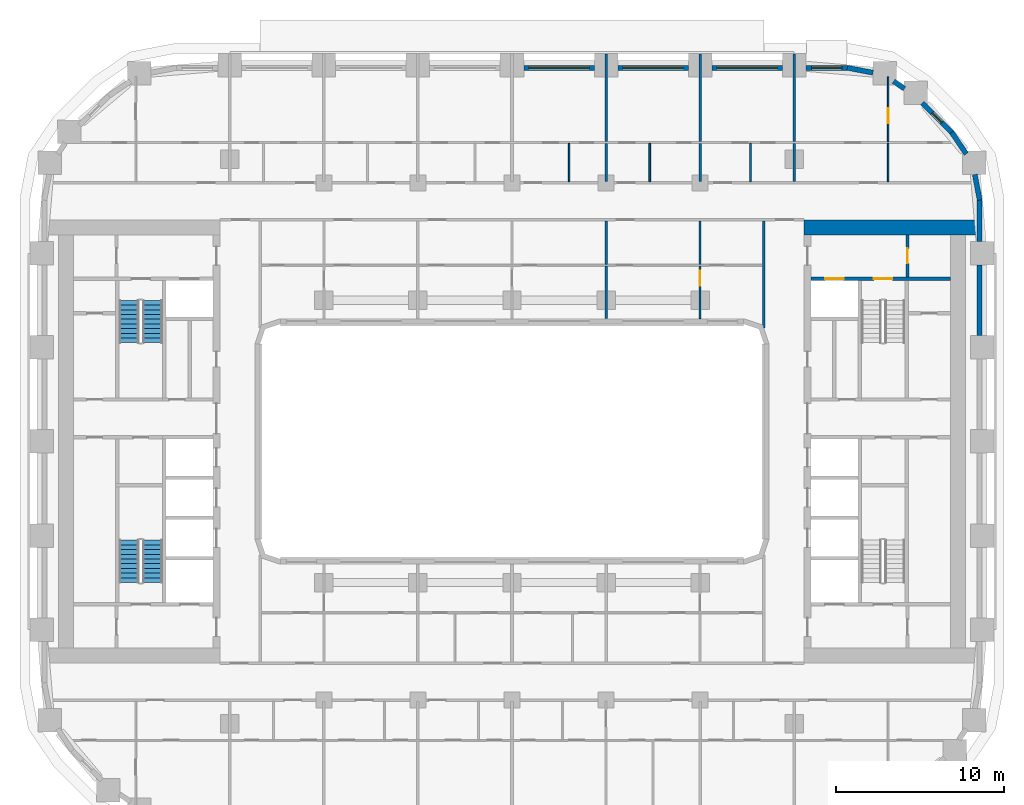
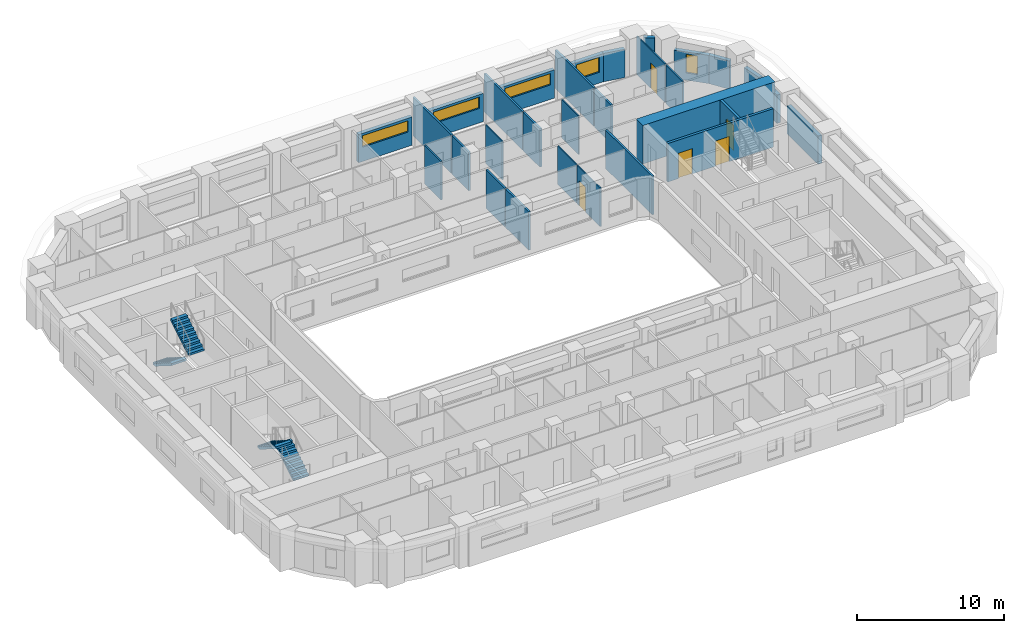
# One storey, part 10 of 22: 30 walls, 5 doors, 5 windows, 4 stair flights, 10 openings, 2 elements without a shape of their own.
"""IFC4 building model written with IfcOpenShell, lengths in metres."""

from ifc_helpers import new_model, si_unit, direction, frame, frame_2d, origin, place, context, subcontext, project, spatial, polyline, rectangle, outline, extrude, material, layer, layer_set, type_object, element, fill, aggregate, save


model = new_model("IFC4")

# Units and contexts
model_context = context("Model", 3, precision=1e-05, world=origin(), true_north=direction((0.0, 1.0)))
body_context = subcontext(model_context, "Body", "Model", "MODEL_VIEW")
ifc_project = project(units=[si_unit("LENGTHUNIT", "METRE"), si_unit("AREAUNIT", "SQUARE_METRE"), si_unit("VOLUMEUNIT", "CUBIC_METRE"), si_unit("PLANEANGLEUNIT", "RADIAN"), si_unit("MASSUNIT", "GRAM", prefix="KILO")], contexts=[model_context])

# Site, building, storey
site_placement = place(None, origin())
site = spatial("IfcSite", under=ifc_project, at=site_placement, CompositionType="ELEMENT")
building_placement = place(site_placement, origin())
building = spatial("IfcBuilding", under=site, at=building_placement, Name="Kiln Ring Residences", CompositionType="ELEMENT")
storey_placement = place(building_placement, frame((0.0, 0.0, 62.0)))
storey = spatial("IfcBuildingStorey", under=building, at=storey_placement, Name="L15", CompositionType="ELEMENT", Elevation=62.0)

# Wall, opening, door
ifc_material_1 = material(Name="Gypsum board on steel studs", Category="steel")
ifc_layer_1 = layer(ifc_material_1, 0.199951171875)
ifc_layer_set_1 = layer_set([ifc_layer_1], Name="CORE-PARTITION-200")
wall_type_1 = type_object("IfcWallType", Name="CORE-PARTITION-200", PredefinedType="PARTITIONING", material=ifc_layer_set_1)
wall_1_placement = place(storey_placement, frame((23.550048828125, 9.800048828125, 0.0), z_axis=(0.0, 0.0, 1.0), x_axis=(0.0, 1.0, 0.0)))
wall_1 = element("IfcWall", 1, at=wall_1_placement, inside=storey, type_object=wall_type_1, Name="Core partition east L15 4", PredefinedType="PARTITIONING", context=body_context, shape_type="SweptSolid", body=[
    extrude(rectangle(XDim=2.5, YDim=0.199951171875, at=frame_2d((1.25, 0.0))), origin(), (0.0, 0.0, 1.0), 3.199951171875),
])
opening_1_placement = place(wall_1_placement, frame((0.800048828125, 0.0, 0.0)))
opening_1 = element("IfcOpeningElement", 2, at=opening_1_placement, cuts=wall_1, Name="Opening L15-CE10", PredefinedType="OPENING", context=body_context, shape_type="SweptSolid", body=[
    extrude(rectangle(XDim=0.89990234375, YDim=2.10009765625, at=frame_2d((0.449951171875, 1.050048828125))), frame((0.0, 0.10986328125, 0.0), z_axis=(0.0, -1.0, 0.0), x_axis=(1.0, 0.0, 0.0)), (0.0, 0.0, 1.0), 0.219970703125),
])
ifc_material_2 = material(Name="Steel door leaf", Category="steel")
door_type_1 = type_object("IfcDoorType", Name="CORE-DOOR-ROOM", OperationType="SINGLE_SWING_LEFT", PredefinedType="DOOR", material=ifc_material_2)
door_1_placement = place(opening_1_placement, origin())
door_1 = element("IfcDoor", 3, at=door_1_placement, inside=storey, type_object=door_type_1, Name="Fire riser room L15-CE10", OperationType="SINGLE_SWING_LEFT", OverallHeight=2.10009765625, OverallWidth=0.89990234375, PredefinedType="DOOR", context=body_context, shape_type="SweptSolid", body=[
    extrude(rectangle(XDim=0.89990234375, YDim=2.10009765625, at=frame_2d((0.449951171875, 1.050048828125))), frame((0.0, 0.02490234375, 0.0), z_axis=(0.0, -1.0, 0.0), x_axis=(1.0, 0.0, 0.0)), (0.0, 0.0, 1.0), 0.050048828125),
])
fill(opening_1, door_1)

# Wall, openings, doors
ifc_material_3 = material(Name="Concrete C40/50", Category="concrete")
ifc_layer_2 = layer(ifc_material_3, 0.199951171875)
ifc_layer_set_2 = layer_set([ifc_layer_2], Name="CORE-WALL-RC200")
wall_type_2 = type_object("IfcWallType", Name="CORE-WALL-RC200", PredefinedType="SHEAR", material=ifc_layer_set_2)
wall_2_placement = place(storey_placement, frame((17.800048828125, 9.699951171875, 0.0), z_axis=(0.0, 0.0, 1.0), x_axis=(1.0, 0.0, 0.0)))
wall_2 = element("IfcWall", 4, at=wall_2_placement, inside=storey, type_object=wall_type_2, Name="Core wall east L15 9", PredefinedType="SHEAR", context=body_context, shape_type="SweptSolid", body=[
    extrude(rectangle(XDim=8.300048828125, YDim=0.199951171875, at=frame_2d((4.14990234375, 0.0))), origin(), (0.0, 0.0, 1.0), 3.199951171875),
])
opening_2_placement = place(wall_2_placement, frame((0.85009765625, 0.0, 0.0)))
opening_2 = element("IfcOpeningElement", 5, at=opening_2_placement, cuts=wall_2, Name="Opening L15-CE07", PredefinedType="OPENING", context=body_context, shape_type="SweptSolid", body=[
    extrude(rectangle(XDim=1.10009765625, YDim=2.10009765625, at=frame_2d((0.550048828125, 1.050048828125))), frame((0.0, 0.10986328125, 0.0), z_axis=(0.0, -1.0, 0.0), x_axis=(1.0, 0.0, 0.0)), (0.0, 0.0, 1.0), 0.219970703125),
])
opening_3_placement = place(wall_2_placement, frame((3.75, 0.0, 0.0)))
opening_3 = element("IfcOpeningElement", 6, at=opening_3_placement, cuts=wall_2, Name="Opening L15-CE12", PredefinedType="OPENING", context=body_context, shape_type="SweptSolid", body=[
    extrude(rectangle(XDim=1.10009765625, YDim=2.10009765625, at=frame_2d((0.550048828125, 1.050048828125))), frame((0.0, 0.10986328125, 0.0), z_axis=(0.0, -1.0, 0.0), x_axis=(1.0, 0.0, 0.0)), (0.0, 0.0, 1.0), 0.219970703125),
])
ifc_material_4 = material(Name="Steel door leaf", Category="steel")
door_type_2 = type_object("IfcDoorType", Name="CORE-DOOR-LD", OperationType="DOUBLE_DOOR_SLIDING", PredefinedType="DOOR", material=ifc_material_4)
door_2_placement = place(opening_2_placement, origin())
door_2 = element("IfcDoor", 7, at=door_2_placement, inside=storey, type_object=door_type_2, Name="LD E-FF L15-CE07", OperationType="DOUBLE_DOOR_SLIDING", OverallHeight=2.10009765625, OverallWidth=1.10009765625, PredefinedType="DOOR", context=body_context, shape_type="SweptSolid", body=[
    extrude(rectangle(XDim=1.10009765625, YDim=2.10009765625, at=frame_2d((0.550048828125, 1.050048828125))), frame((0.0, 0.02490234375, 0.0), z_axis=(0.0, -1.0, 0.0), x_axis=(1.0, 0.0, 0.0)), (0.0, 0.0, 1.0), 0.050048828125),
])
fill(opening_2, door_2)
ifc_material_5 = material(Name="Steel door leaf", Category="steel")
door_type_3 = type_object("IfcDoorType", Name="CORE-DOOR-STAIR", OperationType="SINGLE_SWING_LEFT", PredefinedType="DOOR", material=ifc_material_5)
door_3_placement = place(opening_3_placement, origin())
door_3 = element("IfcDoor", 8, at=door_3_placement, inside=storey, type_object=door_type_3, Name="Stair E-STN L15-CE12", OperationType="SINGLE_SWING_LEFT", OverallHeight=2.10009765625, OverallWidth=1.10009765625, PredefinedType="DOOR", context=body_context, shape_type="SweptSolid", body=[
    extrude(rectangle(XDim=1.10009765625, YDim=2.10009765625, at=frame_2d((0.550048828125, 1.050048828125))), frame((0.0, 0.02490234375, 0.0), z_axis=(0.0, -1.0, 0.0), x_axis=(1.0, 0.0, 0.0)), (0.0, 0.0, 1.0), 0.050048828125),
])
fill(opening_3, door_3)

# Walls
ifc_material_6 = material(Name="Concrete C60/75", Category="concrete")
ifc_layer_3 = layer(ifc_material_6, 0.89990234375)
ifc_layer_set_3 = layer_set([ifc_layer_3], Name="CORE-WALL-RC900")
wall_type_3 = type_object("IfcWallType", Name="CORE-WALL-RC900", PredefinedType="SHEAR", material=ifc_layer_set_3)
wall_3_placement = place(storey_placement, frame((17.39990234375, 12.75, 0.0), z_axis=(0.0, 0.0, 1.0), x_axis=(1.0, 0.0, 0.0)))
element("IfcWall", 9, at=wall_3_placement, inside=storey, type_object=wall_type_3, Name="Core wall east L15 4", PredefinedType="SHEAR", context=body_context, shape_type="SweptSolid", body=[
    extrude(rectangle(XDim=10.400146484375, YDim=0.89990234375, at=frame_2d((5.2001953125, 0.0))), origin(), (0.0, 0.0, 1.0), 3.199951171875),
])
ifc_material_7 = material(Name="Brick masonry, dark clay brick", Category="masonry")
ifc_layer_4 = layer(ifc_material_7, 0.300048828125)
ifc_layer_set_4 = layer_set([ifc_layer_4], Name="EW-300 BRICK WALL")
wall_type_4 = type_object("IfcWallType", Name="EW-300 BRICK WALL", PredefinedType="SOLIDWALL", material=ifc_layer_set_4)
wall_4_placement = place(storey_placement, frame((27.85009765625, 6.300048828125, 0.0), z_axis=(0.0, 0.0, 1.0), x_axis=(0.0, 1.0, 0.0)))
element("IfcWall", 10, at=wall_4_placement, inside=storey, type_object=wall_type_4, Name="Facade wall L15 21", PredefinedType="SOLIDWALL", context=body_context, shape_type="SweptSolid", body=[
    extrude(rectangle(XDim=4.199951171875, YDim=0.300048828125, at=frame_2d((2.10009765625, 0.0))), origin(), (0.0, 0.0, 1.0), 2.35009765625),
])
wall_5_placement = place(storey_placement, frame((27.85009765625, 11.89990234375, 0.0), z_axis=(0.0, 0.0, 1.0), x_axis=(0.0, 1.0, 0.0)))
element("IfcWall", 11, at=wall_5_placement, inside=storey, type_object=wall_type_4, Name="Facade wall L15 22", PredefinedType="SOLIDWALL", context=body_context, shape_type="SweptSolid", body=[
    extrude(rectangle(XDim=2.5, YDim=0.300048828125, at=frame_2d((1.25, 0.0))), origin(), (0.0, 0.0, 1.0), 2.35009765625),
])
for number, where, z_axis, x_axis, name in (
    (12, (27.8525390625, 14.371826171875, 0.0), (0.0, 0.0, 1.0), (-0.187328386968, 0.982297345734, 0.0), "Facade wall L15 23"),
    (13, (27.053466796875, 17.125732421875, 0.0), (0.0, 0.0, 1.0), (-0.56199241657, 0.827142384187, 0.0), "Facade wall L15 24"),
):
    element("IfcWall", number, at=place(storey_placement, frame(where, z_axis=z_axis, x_axis=x_axis)), inside=storey, type_object=wall_type_4, Name=name, PredefinedType="SOLIDWALL", context=body_context, shape_type="SweptSolid", body=[
        extrude(rectangle(XDim=1.55615234375, YDim=0.300048828125, at=frame_2d((0.778076171875, 0.0))), origin(), (0.0, 0.0, 1.0), 2.35009765625),
    ])

# Wall, opening, window
wall_6_placement = place(storey_placement, frame((26.19677734375, 18.390869140625, 0.0), z_axis=(0.0, 0.0, 1.0), x_axis=(-0.707057949532, 0.707155609469, 0.0)))
wall_6 = element("IfcWall", 14, at=wall_6_placement, inside=storey, type_object=wall_type_4, Name="Facade wall L15 25", PredefinedType="SOLIDWALL", context=body_context, shape_type="SweptSolid", body=[
    extrude(rectangle(XDim=2.5, YDim=0.300048828125, at=frame_2d((1.25, 0.0))), origin(), (0.0, 0.0, 1.0), 2.35009765625),
])
opening_4_placement = place(wall_6_placement, frame((0.85009765625, 0.0, 0.60009765625)))
opening_4 = element("IfcOpeningElement", 15, at=opening_4_placement, cuts=wall_6, Name="Opening W5", PredefinedType="OPENING", context=body_context, shape_type="SweptSolid", body=[
    extrude(rectangle(XDim=0.800048828125, YDim=1.550048828125, at=frame_2d((0.39990234375, 0.77490234375))), frame((0.0, 0.159912109375, 0.0), z_axis=(0.0, -1.0, 0.0), x_axis=(1.0, 0.0, 0.0)), (0.0, 0.0, 1.0), 0.320068359375),
])
ifc_material_8 = material(Name="Aluminium frame with double glazing", Category="aluminium")
window_type_1 = type_object("IfcWindowType", Name="WINDOW 800 x 1550", PartitioningType="SINGLE_PANEL", PredefinedType="WINDOW", material=ifc_material_8)
window_1_placement = place(opening_4_placement, origin())
window_1 = element("IfcWindow", 16, at=window_1_placement, inside=storey, type_object=window_type_1, Name="Window L15 12", OverallHeight=1.550048828125, OverallWidth=0.800048828125, PartitioningType="SINGLE_PANEL", PredefinedType="WINDOW", context=body_context, shape_type="SweptSolid", body=[
    extrude(rectangle(XDim=0.800048828125, YDim=1.550048828125, at=frame_2d((0.39990234375, 0.77490234375))), frame((0.0, 0.030029296875, 0.0), z_axis=(0.0, -1.0, 0.0), x_axis=(1.0, 0.0, 0.0)), (0.0, 0.0, 1.0), 0.06005859375),
])
fill(opening_4, window_1)

# Walls
wall_7_placement = place(storey_placement, frame((23.368408203125, 21.016845703125, 0.0), z_axis=(0.0, 0.0, 1.0), x_axis=(-0.827037530089, 0.562146710232, 0.0)))
element("IfcWall", 17, at=wall_7_placement, inside=storey, type_object=wall_type_4, Name="Facade wall L15 26", PredefinedType="SOLIDWALL", context=body_context, shape_type="SweptSolid", body=[
    extrude(rectangle(XDim=0.77685546875, YDim=0.300048828125, at=frame_2d((0.388427734375, 0.0))), origin(), (0.0, 0.0, 1.0), 3.199951171875),
])
wall_8_placement = place(storey_placement, frame((21.50048828125, 21.961181640625, 0.0), z_axis=(0.0, 0.0, 1.0), x_axis=(-0.982297345734, 0.187328386968, 0.0)))
element("IfcWall", 18, at=wall_8_placement, inside=storey, type_object=wall_type_4, Name="Facade wall L15 27", PredefinedType="SOLIDWALL", context=body_context, shape_type="SweptSolid", body=[
    extrude(rectangle(XDim=1.55615234375, YDim=0.300048828125, at=frame_2d((0.778076171875, 0.0))), origin(), (0.0, 0.0, 1.0), 2.35009765625),
])

# Wall, opening, window
wall_9_placement = place(storey_placement, frame((20.0, 22.25, 0.0), z_axis=(0.0, 0.0, 1.0), x_axis=(-1.0, 0.0, 0.0)))
wall_9 = element("IfcWall", 19, at=wall_9_placement, inside=storey, type_object=wall_type_4, Name="Facade wall L15 28", PredefinedType="SOLIDWALL", context=body_context, shape_type="SweptSolid", body=[
    extrude(rectangle(XDim=2.5, YDim=0.300048828125, at=frame_2d((1.25, 0.0))), origin(), (0.0, 0.0, 1.0), 2.35009765625),
])
opening_5_placement = place(wall_9_placement, frame((0.35009765625, 0.0, 0.89990234375)))
opening_5 = element("IfcOpeningElement", 20, at=opening_5_placement, cuts=wall_9, Name="Opening W2", PredefinedType="OPENING", context=body_context, shape_type="SweptSolid", body=[
    extrude(rectangle(XDim=1.800048828125, YDim=1.25, at=frame_2d((0.89990234375, 0.625))), frame((0.0, 0.159912109375, 0.0), z_axis=(0.0, -1.0, 0.0), x_axis=(1.0, 0.0, 0.0)), (0.0, 0.0, 1.0), 0.320068359375),
])
ifc_material_9 = material(Name="Aluminium frame with double glazing", Category="aluminium")
window_type_2 = type_object("IfcWindowType", Name="WINDOW 1800 x 1250", PartitioningType="SINGLE_PANEL", PredefinedType="WINDOW", material=ifc_material_9)
window_2_placement = place(opening_5_placement, origin())
window_2 = element("IfcWindow", 21, at=window_2_placement, inside=storey, type_object=window_type_2, Name="Window L15 13", OverallHeight=1.25, OverallWidth=1.800048828125, PartitioningType="SINGLE_PANEL", PredefinedType="WINDOW", context=body_context, shape_type="SweptSolid", body=[
    extrude(rectangle(XDim=1.800048828125, YDim=1.25, at=frame_2d((0.89990234375, 0.625))), frame((0.0, 0.030029296875, 0.0), z_axis=(0.0, -1.0, 0.0), x_axis=(1.0, 0.0, 0.0)), (0.0, 0.0, 1.0), 0.06005859375),
])
fill(opening_5, window_2)

wall_10_placement = place(storey_placement, frame((16.10009765625, 22.25, 0.0), z_axis=(0.0, 0.0, 1.0), x_axis=(-1.0, 0.0, 0.0)))
wall_10 = element("IfcWall", 22, at=wall_10_placement, inside=storey, type_object=wall_type_4, Name="Facade wall L15 29", PredefinedType="SOLIDWALL", context=body_context, shape_type="SweptSolid", body=[
    extrude(rectangle(XDim=4.2001953125, YDim=0.300048828125, at=frame_2d((2.10009765625, 0.0))), origin(), (0.0, 0.0, 1.0), 2.35009765625),
])
opening_6_placement = place(wall_10_placement, frame((0.300048828125, 0.0, 1.199951171875)))
opening_6 = element("IfcOpeningElement", 23, at=opening_6_placement, cuts=wall_10, Name="Opening W4", PredefinedType="OPENING", context=body_context, shape_type="SweptSolid", body=[
    extrude(rectangle(XDim=3.60009765625, YDim=0.949951171875, at=frame_2d((1.800048828125, 0.47509765625))), frame((0.0, 0.159912109375, 0.0), z_axis=(0.0, -1.0, 0.0), x_axis=(1.0, 0.0, 0.0)), (0.0, 0.0, 1.0), 0.320068359375),
])
ifc_material_10 = material(Name="Aluminium frame with double glazing", Category="aluminium")
window_type_3 = type_object("IfcWindowType", Name="WINDOW 3600 x 950", PartitioningType="SINGLE_PANEL", PredefinedType="WINDOW", material=ifc_material_10)
window_3_placement = place(opening_6_placement, origin())
window_3 = element("IfcWindow", 24, at=window_3_placement, inside=storey, type_object=window_type_3, Name="Window L15 14", OverallHeight=0.949951171875, OverallWidth=3.60009765625, PartitioningType="SINGLE_PANEL", PredefinedType="WINDOW", context=body_context, shape_type="SweptSolid", body=[
    extrude(rectangle(XDim=3.60009765625, YDim=0.949951171875, at=frame_2d((1.800048828125, 0.47509765625))), frame((0.0, 0.030029296875, 0.0), z_axis=(0.0, -1.0, 0.0), x_axis=(1.0, 0.0, 0.0)), (0.0, 0.0, 1.0), 0.06005859375),
])
fill(opening_6, window_3)

wall_11_placement = place(storey_placement, frame((10.5, 22.25, 0.0), z_axis=(0.0, 0.0, 1.0), x_axis=(-1.0, 0.0, 0.0)))
wall_11 = element("IfcWall", 25, at=wall_11_placement, inside=storey, type_object=wall_type_4, Name="Facade wall L15 30", PredefinedType="SOLIDWALL", context=body_context, shape_type="SweptSolid", body=[
    extrude(rectangle(XDim=4.199951171875, YDim=0.300048828125, at=frame_2d((2.10009765625, 0.0))), origin(), (0.0, 0.0, 1.0), 2.35009765625),
])
opening_7_placement = place(wall_11_placement, frame((0.300048828125, 0.0, 1.199951171875)))
opening_7 = element("IfcOpeningElement", 26, at=opening_7_placement, cuts=wall_11, Name="Opening W4", PredefinedType="OPENING", context=body_context, shape_type="SweptSolid", body=[
    extrude(rectangle(XDim=3.60009765625, YDim=0.949951171875, at=frame_2d((1.800048828125, 0.47509765625))), frame((0.0, 0.159912109375, 0.0), z_axis=(0.0, -1.0, 0.0), x_axis=(1.0, 0.0, 0.0)), (0.0, 0.0, 1.0), 0.320068359375),
])
window_4_placement = place(opening_7_placement, origin())
window_4 = element("IfcWindow", 27, at=window_4_placement, inside=storey, type_object=window_type_3, Name="Window L15 15", OverallHeight=0.949951171875, OverallWidth=3.60009765625, PartitioningType="SINGLE_PANEL", PredefinedType="WINDOW", context=body_context, shape_type="SweptSolid", body=[
    extrude(rectangle(XDim=3.60009765625, YDim=0.949951171875, at=frame_2d((1.800048828125, 0.47509765625))), frame((0.0, 0.030029296875, 0.0), z_axis=(0.0, -1.0, 0.0), x_axis=(1.0, 0.0, 0.0)), (0.0, 0.0, 1.0), 0.06005859375),
])
fill(opening_7, window_4)

wall_12_placement = place(storey_placement, frame((4.89990234375, 22.25, 0.0), z_axis=(0.0, 0.0, 1.0), x_axis=(-1.0, 0.0, 0.0)))
wall_12 = element("IfcWall", 28, at=wall_12_placement, inside=storey, type_object=wall_type_4, Name="Facade wall L15 31", PredefinedType="SOLIDWALL", context=body_context, shape_type="SweptSolid", body=[
    extrude(rectangle(XDim=4.199951171875, YDim=0.300048828125, at=frame_2d((2.10009765625, 0.0))), origin(), (0.0, 0.0, 1.0), 2.35009765625),
])
opening_8_placement = place(wall_12_placement, frame((0.300048828125, 0.0, 1.199951171875)))
opening_8 = element("IfcOpeningElement", 29, at=opening_8_placement, cuts=wall_12, Name="Opening W4", PredefinedType="OPENING", context=body_context, shape_type="SweptSolid", body=[
    extrude(rectangle(XDim=3.60009765625, YDim=0.949951171875, at=frame_2d((1.800048828125, 0.47509765625))), frame((0.0, 0.159912109375, 0.0), z_axis=(0.0, -1.0, 0.0), x_axis=(1.0, 0.0, 0.0)), (0.0, 0.0, 1.0), 0.320068359375),
])
window_5_placement = place(opening_8_placement, origin())
window_5 = element("IfcWindow", 30, at=window_5_placement, inside=storey, type_object=window_type_3, Name="Window L15 16", OverallHeight=0.949951171875, OverallWidth=3.60009765625, PartitioningType="SINGLE_PANEL", PredefinedType="WINDOW", context=body_context, shape_type="SweptSolid", body=[
    extrude(rectangle(XDim=3.60009765625, YDim=0.949951171875, at=frame_2d((1.800048828125, 0.47509765625))), frame((0.0, 0.030029296875, 0.0), z_axis=(0.0, -1.0, 0.0), x_axis=(1.0, 0.0, 0.0)), (0.0, 0.0, 1.0), 0.06005859375),
])
fill(opening_8, window_5)

# Walls
ifc_material_11 = material(Name="Gypsum board on steel studs", Category="steel")
ifc_layer_5 = layer(ifc_material_11, 0.10009765625)
ifc_layer_set_5 = layer_set([ifc_layer_5], Name="PARTITION-100")
wall_type_5 = type_object("IfcWallType", Name="PARTITION-100", PredefinedType="PARTITIONING", material=ifc_layer_set_5)
for number, where, z_axis, x_axis, name in (
    (31, (3.39990234375, 15.47509765625, 0.0), (0.0, 0.0, 1.0), (0.0, 1.0, 0.0), "Partition 050"),
    (32, (8.199951171875, 15.47509765625, 0.0), (0.0, 0.0, 1.0), (0.0, 1.0, 0.0), "Partition 060"),
):
    element("IfcWall", number, at=place(storey_placement, frame(where, z_axis=z_axis, x_axis=x_axis)), inside=storey, type_object=wall_type_5, Name=name, PredefinedType="PARTITIONING", context=body_context, shape_type="SweptSolid", body=[
        extrude(rectangle(XDim=2.27490234375, YDim=0.10009765625, at=frame_2d((1.137451171875, 0.0))), origin(), (0.0, 0.0, 1.0), 3.199951171875),
    ])

# Wall, opening, door
wall_13_placement = place(storey_placement, frame((11.199951171875, 7.320068359375, 0.0), z_axis=(0.0, 0.0, 1.0), x_axis=(0.0, 1.0, 0.0)))
wall_13 = element("IfcWall", 33, at=wall_13_placement, inside=storey, type_object=wall_type_5, Name="Partition 064", PredefinedType="PARTITIONING", context=body_context, shape_type="SweptSolid", body=[
    extrude(rectangle(XDim=3.1298828125, YDim=0.10009765625, at=frame_2d((1.56494140625, 0.0))), origin(), (0.0, 0.0, 1.0), 3.199951171875),
])
opening_9_placement = place(wall_13_placement, frame((1.949951171875, 0.0, 0.0)))
opening_9 = element("IfcOpeningElement", 34, at=opening_9_placement, cuts=wall_13, Name="Opening L15-D016", PredefinedType="OPENING", context=body_context, shape_type="SweptSolid", body=[
    extrude(rectangle(XDim=0.89990234375, YDim=2.10009765625, at=frame_2d((0.449951171875, 1.050048828125))), frame((0.0, 0.06005859375, 0.0), z_axis=(0.0, -1.0, 0.0), x_axis=(1.0, 0.0, 0.0)), (0.0, 0.0, 1.0), 0.1201171875),
])
ifc_material_12 = material(Name="Timber door leaf", Category="wood")
door_type_4 = type_object("IfcDoorType", Name="FLAT-DOOR-900-PL", OperationType="SINGLE_SWING_LEFT", PredefinedType="DOOR", material=ifc_material_12)
door_4_placement = place(opening_9_placement, origin())
door_4 = element("IfcDoor", 35, at=door_4_placement, inside=storey, type_object=door_type_4, Name="Door L15-D016", OperationType="SINGLE_SWING_RIGHT", OverallHeight=2.10009765625, OverallWidth=0.89990234375, PredefinedType="DOOR", context=body_context, shape_type="SweptSolid", body=[
    extrude(rectangle(XDim=0.89990234375, YDim=2.10009765625, at=frame_2d((0.449951171875, 1.050048828125))), frame((0.0, 0.02490234375, 0.0), z_axis=(0.0, -1.0, 0.0), x_axis=(1.0, 0.0, 0.0)), (0.0, 0.0, 1.0), 0.050048828125),
])
fill(opening_9, door_4)

# Walls
wall_14_placement = place(storey_placement, frame((11.199951171875, 10.550048828125, 0.0), z_axis=(0.0, 0.0, 1.0), x_axis=(0.0, 1.0, 0.0)))
element("IfcWall", 36, at=wall_14_placement, inside=storey, type_object=wall_type_5, Name="Partition 065", PredefinedType="PARTITIONING", context=body_context, shape_type="SweptSolid", body=[
    extrude(rectangle(XDim=2.574951171875, YDim=0.10009765625, at=frame_2d((1.28759765625, 0.0))), origin(), (0.0, 0.0, 1.0), 3.199951171875),
])
for number, where, z_axis, x_axis, name in (
    (37, (14.199951171875, 15.47509765625, 0.0), (0.0, 0.0, 1.0), (0.0, 1.0, 0.0), "Partition 071"),
    (38, (22.39990234375, 15.47509765625, 0.0), (0.0, 0.0, 1.0), (0.0, 1.0, 0.0), "Partition 080"),
):
    element("IfcWall", number, at=place(storey_placement, frame(where, z_axis=z_axis, x_axis=x_axis)), inside=storey, type_object=wall_type_5, Name=name, PredefinedType="PARTITIONING", context=body_context, shape_type="SweptSolid", body=[
        extrude(rectangle(XDim=2.27490234375, YDim=0.10009765625, at=frame_2d((1.137451171875, 0.0))), origin(), (0.0, 0.0, 1.0), 3.199951171875),
    ])

# Wall, opening, door
wall_15_placement = place(storey_placement, frame((22.39990234375, 17.85009765625, 0.0), z_axis=(0.0, 0.0, 1.0), x_axis=(0.0, 1.0, 0.0)))
wall_15 = element("IfcWall", 39, at=wall_15_placement, inside=storey, type_object=wall_type_5, Name="Partition 081", PredefinedType="PARTITIONING", context=body_context, shape_type="SweptSolid", body=[
    extrude(rectangle(XDim=3.869873046875, YDim=0.10009765625, at=frame_2d((1.93505859375, 0.0))), origin(), (0.0, 0.0, 1.0), 3.199951171875),
])
opening_10_placement = place(wall_15_placement, frame((1.10009765625, 0.0, 0.0)))
opening_10 = element("IfcOpeningElement", 40, at=opening_10_placement, cuts=wall_15, Name="Opening L15-D042", PredefinedType="OPENING", context=body_context, shape_type="SweptSolid", body=[
    extrude(rectangle(XDim=0.89990234375, YDim=2.10009765625, at=frame_2d((0.449951171875, 1.050048828125))), frame((0.0, 0.06005859375, 0.0), z_axis=(0.0, -1.0, 0.0), x_axis=(1.0, 0.0, 0.0)), (0.0, 0.0, 1.0), 0.1201171875),
])
door_5_placement = place(opening_10_placement, origin())
door_5 = element("IfcDoor", 41, at=door_5_placement, inside=storey, type_object=door_type_4, Name="Door L15-D042", OperationType="SINGLE_SWING_LEFT", OverallHeight=2.10009765625, OverallWidth=0.89990234375, PredefinedType="DOOR", context=body_context, shape_type="SweptSolid", body=[
    extrude(rectangle(XDim=0.89990234375, YDim=2.10009765625, at=frame_2d((0.449951171875, 1.050048828125))), frame((0.0, 0.02490234375, 0.0), z_axis=(0.0, -1.0, 0.0), x_axis=(1.0, 0.0, 0.0)), (0.0, 0.0, 1.0), 0.050048828125),
])
fill(opening_10, door_5)

# Walls
ifc_material_13 = material(Name="Brick masonry partition", Category="masonry")
ifc_layer_6 = layer(ifc_material_13, 0.14990234375)
ifc_layer_set_6 = layer_set([ifc_layer_6], Name="PARTITION-150-ei60")
wall_type_6 = type_object("IfcWallType", Name="PARTITION-150-ei60", PredefinedType="PARTITIONING", material=ifc_layer_set_6)
wall_16_placement = place(storey_placement, frame((5.60009765625, 7.320068359375, 0.0), z_axis=(0.0, 0.0, 1.0), x_axis=(0.0, 1.0, 0.0)))
element("IfcWall", 42, at=wall_16_placement, inside=storey, type_object=wall_type_6, Name="Partition 056", PredefinedType="PARTITIONING", context=body_context, shape_type="SweptSolid", body=[
    extrude(rectangle(XDim=3.1298828125, YDim=0.14990234375, at=frame_2d((1.56494140625, 0.0))), origin(), (0.0, 0.0, 1.0), 3.199951171875),
])
wall_17_placement = place(storey_placement, frame((5.60009765625, 10.550048828125, 0.0), z_axis=(0.0, 0.0, 1.0), x_axis=(0.0, 1.0, 0.0)))
element("IfcWall", 43, at=wall_17_placement, inside=storey, type_object=wall_type_6, Name="Partition 057", PredefinedType="PARTITIONING", context=body_context, shape_type="SweptSolid", body=[
    extrude(rectangle(XDim=2.574951171875, YDim=0.14990234375, at=frame_2d((1.28759765625, 0.0))), origin(), (0.0, 0.0, 1.0), 3.199951171875),
])
wall_18_placement = place(storey_placement, frame((5.60009765625, 15.47509765625, 0.0), z_axis=(0.0, 0.0, 1.0), x_axis=(0.0, 1.0, 0.0)))
element("IfcWall", 44, at=wall_18_placement, inside=storey, type_object=wall_type_6, Name="Partition 058", PredefinedType="PARTITIONING", context=body_context, shape_type="SweptSolid", body=[
    extrude(rectangle(XDim=2.27490234375, YDim=0.14990234375, at=frame_2d((1.137451171875, 0.0))), origin(), (0.0, 0.0, 1.0), 3.199951171875),
])
wall_19_placement = place(storey_placement, frame((5.60009765625, 17.85009765625, 0.0), z_axis=(0.0, 0.0, 1.0), x_axis=(0.0, 1.0, 0.0)))
element("IfcWall", 45, at=wall_19_placement, inside=storey, type_object=wall_type_6, Name="Partition 059", PredefinedType="PARTITIONING", context=body_context, shape_type="SweptSolid", body=[
    extrude(rectangle(XDim=5.22998046875, YDim=0.14990234375, at=frame_2d((2.614990234375, 0.0))), origin(), (0.0, 0.0, 1.0), 3.199951171875),
])
wall_20_placement = place(storey_placement, frame((11.199951171875, 15.47509765625, 0.0), z_axis=(0.0, 0.0, 1.0), x_axis=(0.0, 1.0, 0.0)))
element("IfcWall", 46, at=wall_20_placement, inside=storey, type_object=wall_type_6, Name="Partition 068", PredefinedType="PARTITIONING", context=body_context, shape_type="SweptSolid", body=[
    extrude(rectangle(XDim=2.27490234375, YDim=0.14990234375, at=frame_2d((1.137451171875, 0.0))), origin(), (0.0, 0.0, 1.0), 3.199951171875),
])
wall_21_placement = place(storey_placement, frame((11.199951171875, 17.85009765625, 0.0), z_axis=(0.0, 0.0, 1.0), x_axis=(0.0, 1.0, 0.0)))
element("IfcWall", 47, at=wall_21_placement, inside=storey, type_object=wall_type_6, Name="Partition 069", PredefinedType="PARTITIONING", context=body_context, shape_type="SweptSolid", body=[
    extrude(rectangle(XDim=5.22998046875, YDim=0.14990234375, at=frame_2d((2.614990234375, 0.0))), origin(), (0.0, 0.0, 1.0), 3.199951171875),
])
wall_22_placement = place(storey_placement, frame((15.0, 6.768798828125, 0.0), z_axis=(0.0, 0.0, 1.0), x_axis=(0.0, 1.0, 0.0)))
element("IfcWall", 48, at=wall_22_placement, inside=storey, type_object=wall_type_6, Name="Partition 073", PredefinedType="PARTITIONING", context=body_context, shape_type="SweptSolid", body=[
    extrude(rectangle(XDim=6.356201171875, YDim=0.14990234375, at=frame_2d((3.17822265625, 0.0))), origin(), (0.0, 0.0, 1.0), 3.199951171875),
])
wall_23_placement = place(storey_placement, frame((16.800048828125, 15.47509765625, 0.0), z_axis=(0.0, 0.0, 1.0), x_axis=(0.0, 1.0, 0.0)))
element("IfcWall", 49, at=wall_23_placement, inside=storey, type_object=wall_type_6, Name="Partition 076", PredefinedType="PARTITIONING", context=body_context, shape_type="SweptSolid", body=[
    extrude(rectangle(XDim=2.27490234375, YDim=0.14990234375, at=frame_2d((1.137451171875, 0.0))), origin(), (0.0, 0.0, 1.0), 3.199951171875),
])
wall_24_placement = place(storey_placement, frame((16.800048828125, 17.85009765625, 0.0), z_axis=(0.0, 0.0, 1.0), x_axis=(0.0, 1.0, 0.0)))
element("IfcWall", 50, at=wall_24_placement, inside=storey, type_object=wall_type_6, Name="Partition 077", PredefinedType="PARTITIONING", context=body_context, shape_type="SweptSolid", body=[
    extrude(rectangle(XDim=5.22998046875, YDim=0.14990234375, at=frame_2d((2.614990234375, 0.0))), origin(), (0.0, 0.0, 1.0), 3.199951171875),
])

# Stair, stair flights
ifc_material_14 = material(Name="Concrete C40/50", Category="concrete")
stair_type = type_object("IfcStairType", Name="CORE-STAIR", PredefinedType="HALF_TURN_STAIR", material=ifc_material_14)
placement = place(storey_placement, origin())
stair_1 = element("IfcStair", 51, at=placement, inside=storey, type_object=stair_type, Name="L15 stair W-STN", PredefinedType="HALF_TURN_STAIR")
ifc_material_15 = material(Name="Concrete C40/50", Category="concrete")
stair_flight_type = type_object("IfcStairFlightType", Name="CORE-STAIR-FLIGHT", PredefinedType="STRAIGHT", material=ifc_material_15)
stair_flight_1_placement = place(storey_placement, frame((-22.800048828125, 8.39990234375, 0.0), z_axis=(0.0, 0.0, 1.0), x_axis=(0.0, -1.0, 0.0)))
stair_flight_1 = element("IfcStairFlight", 52, at=stair_flight_1_placement, type_object=stair_flight_type, Name="W-STN flight 1", NumberOfRisers=10, NumberOfTreads=9, PredefinedType="STRAIGHT", RiserHeight=0.175, TreadLength=0.28, context=body_context, shape_type="SweptSolid", body=[
    extrude(outline(polyline([(0.0, 0.0), (0.0, 0.175048828125), (0.280029296875, 0.175048828125), (0.280029296875, 0.35009765625), (0.56005859375, 0.35009765625), (0.56005859375, 0.52490234375), (0.840087890625, 0.52490234375), (0.840087890625, 0.699951171875), (1.1201171875, 0.699951171875), (1.1201171875, 0.875), (1.39990234375, 0.875), (1.39990234375, 1.050048828125), (1.679931640625, 1.050048828125), (1.679931640625, 1.22509765625), (1.9599609375, 1.22509765625), (1.9599609375, 1.39990234375), (2.239990234375, 1.39990234375), (2.239990234375, 1.574951171875), (2.52001953125, 1.574951171875), (2.52001953125, 1.75), (2.52001953125, 1.398193359375), (0.28271484375, 0.0), (0.0, 0.0)])), frame((0.0, 0.60009765625, 0.0), z_axis=(0.0, -1.0, 0.0), x_axis=(1.0, 0.0, 0.0)), (0.0, 0.0, 1.0), 1.199951171875),
])
stair_flight_2_placement = place(storey_placement, frame((-21.39990234375, 5.8798828125, 1.75), z_axis=(0.0, 0.0, 1.0), x_axis=(0.0, 1.0, 0.0)))
stair_flight_2 = element("IfcStairFlight", 53, at=stair_flight_2_placement, type_object=stair_flight_type, Name="W-STN flight 2", NumberOfRisers=10, NumberOfTreads=9, PredefinedType="STRAIGHT", RiserHeight=0.175, TreadLength=0.28, context=body_context, shape_type="SweptSolid", body=[
    extrude(outline(polyline([(0.0, 0.0), (0.0, 0.175048828125), (0.280029296875, 0.175048828125), (0.280029296875, 0.35009765625), (0.56005859375, 0.35009765625), (0.56005859375, 0.52490234375), (0.840087890625, 0.52490234375), (0.840087890625, 0.699951171875), (1.1201171875, 0.699951171875), (1.1201171875, 0.875), (1.39990234375, 0.875), (1.39990234375, 1.050048828125), (1.679931640625, 1.050048828125), (1.679931640625, 1.22509765625), (1.9599609375, 1.22509765625), (1.9599609375, 1.39990234375), (2.239990234375, 1.39990234375), (2.239990234375, 1.574951171875), (2.52001953125, 1.574951171875), (2.52001953125, 1.75), (2.52001953125, 1.398193359375), (0.28271484375, 0.0), (0.0, 0.0)])), frame((0.0, 0.60009765625, 0.0), z_axis=(0.0, -1.0, 0.0), x_axis=(1.0, 0.0, 0.0)), (0.0, 0.0, 1.0), 1.199951171875),
])
aggregate(stair_1, [stair_flight_1, stair_flight_2])

stair_2 = element("IfcStair", 54, at=placement, inside=storey, type_object=stair_type, Name="L15 stair W-STS", PredefinedType="HALF_TURN_STAIR")
stair_flight_3_placement = place(storey_placement, frame((-21.39990234375, -8.39990234375, 0.0), z_axis=(0.0, 0.0, 1.0), x_axis=(0.0, 1.0, 0.0)))
stair_flight_3 = element("IfcStairFlight", 55, at=stair_flight_3_placement, type_object=stair_flight_type, Name="W-STS flight 1", NumberOfRisers=10, NumberOfTreads=9, PredefinedType="STRAIGHT", RiserHeight=0.175, TreadLength=0.28, context=body_context, shape_type="SweptSolid", body=[
    extrude(outline(polyline([(0.0, 0.0), (0.0, 0.175048828125), (0.280029296875, 0.175048828125), (0.280029296875, 0.35009765625), (0.56005859375, 0.35009765625), (0.56005859375, 0.52490234375), (0.840087890625, 0.52490234375), (0.840087890625, 0.699951171875), (1.1201171875, 0.699951171875), (1.1201171875, 0.875), (1.39990234375, 0.875), (1.39990234375, 1.050048828125), (1.679931640625, 1.050048828125), (1.679931640625, 1.22509765625), (1.9599609375, 1.22509765625), (1.9599609375, 1.39990234375), (2.239990234375, 1.39990234375), (2.239990234375, 1.574951171875), (2.52001953125, 1.574951171875), (2.52001953125, 1.75), (2.52001953125, 1.398193359375), (0.28271484375, 0.0), (0.0, 0.0)])), frame((0.0, 0.60009765625, 0.0), z_axis=(0.0, -1.0, 0.0), x_axis=(1.0, 0.0, 0.0)), (0.0, 0.0, 1.0), 1.199951171875),
])
stair_flight_4_placement = place(storey_placement, frame((-22.800048828125, -5.8798828125, 1.75), z_axis=(0.0, 0.0, 1.0), x_axis=(0.0, -1.0, 0.0)))
stair_flight_4 = element("IfcStairFlight", 56, at=stair_flight_4_placement, type_object=stair_flight_type, Name="W-STS flight 2", NumberOfRisers=10, NumberOfTreads=9, PredefinedType="STRAIGHT", RiserHeight=0.175, TreadLength=0.28, context=body_context, shape_type="SweptSolid", body=[
    extrude(outline(polyline([(0.0, 0.0), (0.0, 0.175048828125), (0.280029296875, 0.175048828125), (0.280029296875, 0.35009765625), (0.56005859375, 0.35009765625), (0.56005859375, 0.52490234375), (0.840087890625, 0.52490234375), (0.840087890625, 0.699951171875), (1.1201171875, 0.699951171875), (1.1201171875, 0.875), (1.39990234375, 0.875), (1.39990234375, 1.050048828125), (1.679931640625, 1.050048828125), (1.679931640625, 1.22509765625), (1.9599609375, 1.22509765625), (1.9599609375, 1.39990234375), (2.239990234375, 1.39990234375), (2.239990234375, 1.574951171875), (2.52001953125, 1.574951171875), (2.52001953125, 1.75), (2.52001953125, 1.398193359375), (0.28271484375, 0.0), (0.0, 0.0)])), frame((0.0, 0.60009765625, 0.0), z_axis=(0.0, -1.0, 0.0), x_axis=(1.0, 0.0, 0.0)), (0.0, 0.0, 1.0), 1.199951171875),
])
aggregate(stair_2, [stair_flight_3, stair_flight_4])

save(model, "model.ifc")
